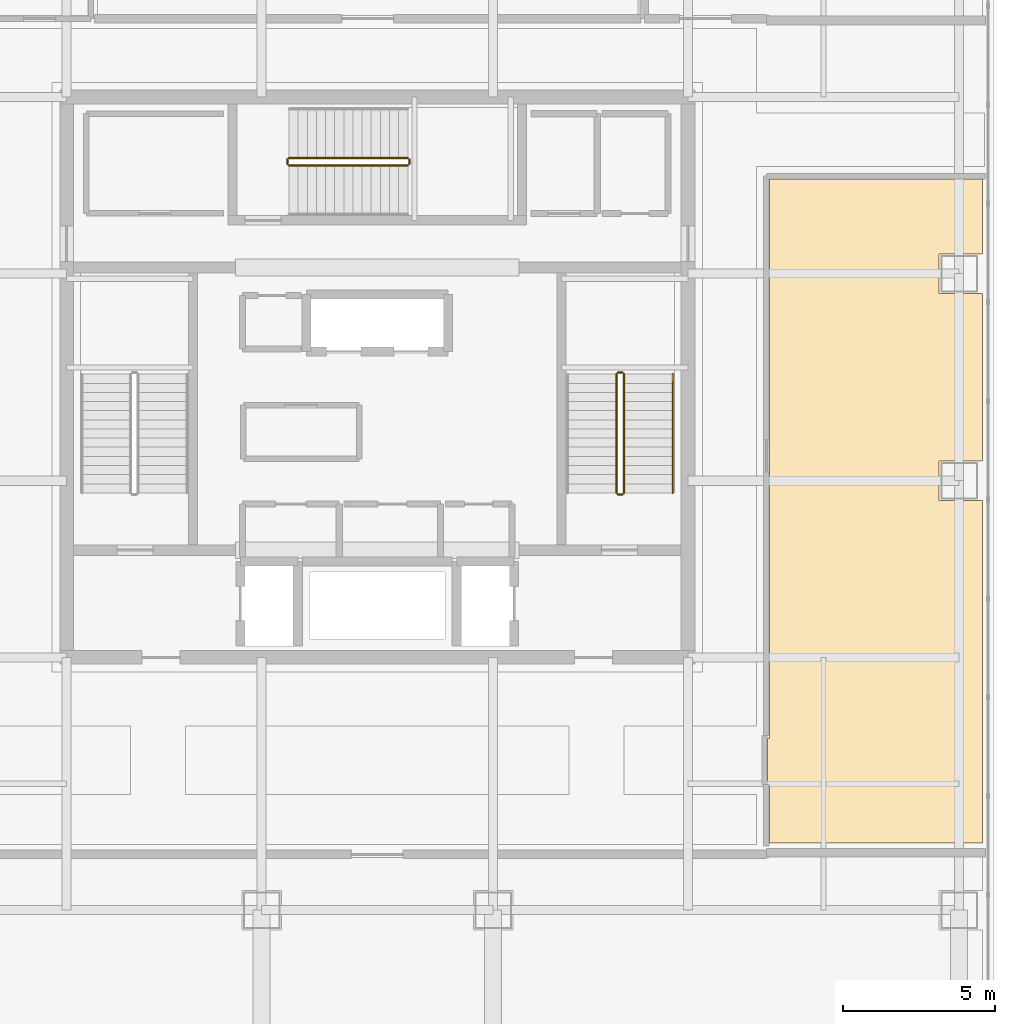
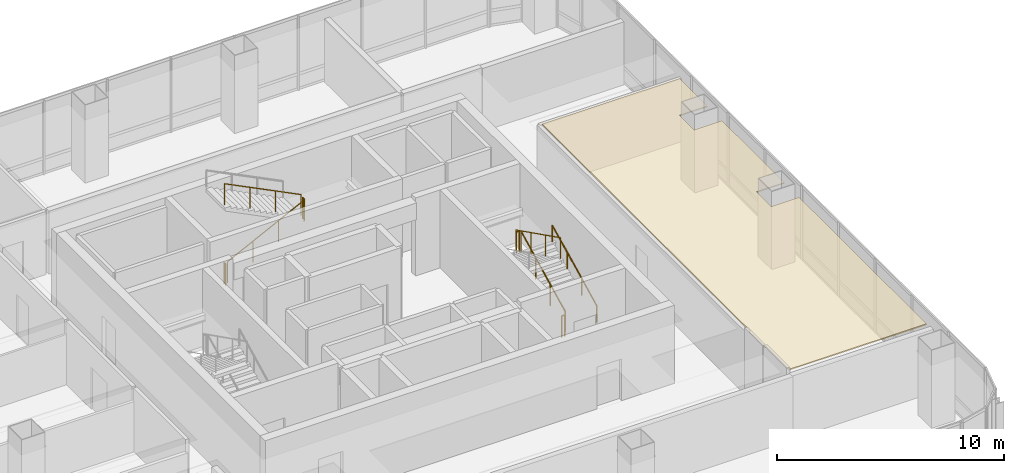
# One storey, part 41 of 42: 9 railings, 1 covering.
"""IFC4 building model written with IfcOpenShell, lengths in metres."""

import ifcopenshell
import ifcopenshell.guid

model = None  # the IFC model being written
_history = None  # IfcOwnerHistory: only IFC2X3 demands one
_inside = {}  # id of a spatial element -> (the spatial element, [elements in it])
_under = {}  # id of a project, library or spatial element -> (it, [spatial elements below it])
_declared = {}  # id of a project -> (the project, [libraries it declares])
_typed = {}  # id of a type object -> (the type object, [elements of that type])
_made_of = {}  # id of a material, layer set ... -> (it, [elements and type objects made of it])


def new_model(schema):
    """Start an empty IFC model of exactly this schema.

    Asked for "IFC4X3", IfcOpenShell would pick the latest addendum, in which some entities
    have other attributes; the version numbers below select the first issue.
    IFC2X3 requires an IfcOwnerHistory on every rooted entity: one is made here for all.
    """
    global model, _history
    if schema == "IFC4X3":
        model = ifcopenshell.file(schema_version=(4, 3, 0, 0))
    else:
        model = ifcopenshell.file(schema=schema)
    _inside.clear()
    _under.clear()
    _declared.clear()
    _typed.clear()
    _made_of.clear()
    _history = None
    if model.schema == "IFC2X3":
        org = make("IfcOrganization", Name="unknown")
        user = make(
            "IfcPersonAndOrganization",
            ThePerson=make("IfcPerson", FamilyName="unknown"),
            TheOrganization=org,
        )
        app = make(
            "IfcApplication",
            ApplicationDeveloper=org,
            Version="unknown",
            ApplicationFullName="unknown",
            ApplicationIdentifier="unknown",
        )
        _history = make(
            "IfcOwnerHistory",
            OwningUser=user,
            OwningApplication=app,
            ChangeAction="ADDED",
            CreationDate=0,
        )
    return model


def make(cls, **values):
    """One entity of the class cls with the attributes given. An attribute that is None is left unset."""
    return model.create_entity(
        cls, **{name: value for name, value in values.items() if value is not None}
    )


def rooted(cls, **values):
    """An entity with a GlobalId (a new one), such as an element, a storey or a relation."""
    return make(cls, GlobalId=ifcopenshell.guid.new(), OwnerHistory=_history, **values)


def si_unit(unit_type, name, prefix=None):
    """IfcSIUnit, for example si_unit("LENGTHUNIT", "METRE", prefix="MILLI")."""
    return make("IfcSIUnit", UnitType=unit_type, Prefix=prefix, Name=name)


def assignment(units):
    """IfcUnitAssignment: the units of a project."""
    return None if units is None else make("IfcUnitAssignment", Units=units)


def point(xyz):
    """IfcCartesianPoint."""
    return None if xyz is None else make("IfcCartesianPoint", Coordinates=xyz)


def direction(xyz):
    """IfcDirection."""
    return None if xyz is None else make("IfcDirection", DirectionRatios=xyz)


def frame(location, z_axis=None, x_axis=None):
    """IfcAxis2Placement3D, a coordinate frame: its origin and axes. An axis left out is left unset."""
    return make(
        "IfcAxis2Placement3D",
        Location=point(location),
        Axis=direction(z_axis),
        RefDirection=direction(x_axis),
    )


def frame_2d(location, x_axis=None):
    """IfcAxis2Placement2D, a coordinate frame in the plane: its origin and x axis."""
    return make(
        "IfcAxis2Placement2D", Location=point(location), RefDirection=direction(x_axis)
    )


def origin():
    """The frame at (0, 0, 0) with its axes left unset."""
    return frame((0.0, 0.0, 0.0))


def origin_2d():
    """The frame at (0, 0) in the plane with its x axis left unset."""
    return frame_2d((0.0, 0.0))


def place(relative_to, where):
    """IfcLocalPlacement: puts the frame where relative to a parent placement (None: the world)."""
    return make(
        "IfcLocalPlacement", PlacementRelTo=relative_to, RelativePlacement=where
    )


def context(
    kind, dimensions, precision=None, world=None, true_north=None, identifier=None
):
    """IfcGeometricRepresentationContext, for example the 3D "Model" context."""
    return make(
        "IfcGeometricRepresentationContext",
        ContextIdentifier=identifier,
        ContextType=kind,
        CoordinateSpaceDimension=dimensions,
        Precision=precision,
        WorldCoordinateSystem=world,
        TrueNorth=true_north,
    )


def subcontext(parent, identifier, kind, view, scale=None):
    """IfcGeometricRepresentationSubContext, for example "Body" below "Model"."""
    return make(
        "IfcGeometricRepresentationSubContext",
        ContextIdentifier=identifier,
        ContextType=kind,
        ParentContext=parent,
        TargetScale=scale,
        TargetView=view,
    )


def project(units=None, contexts=None):
    """IfcProject with its units and contexts."""
    return rooted(
        "IfcProject",
        Name="project",
        RepresentationContexts=contexts,
        UnitsInContext=assignment(units),
    )


def spatial(cls, under=None, at=None, **own):
    """A site, building, storey or space (cls), placed at a placement, below another one or the project."""
    s = rooted(cls, ObjectPlacement=at, **own)
    if under is not None:
        _under.setdefault(under.id(), (under, []))[1].append(s)
    return s


def polyline(points):
    """IfcPolyline through the points."""
    return make("IfcPolyline", Points=[point(p) for p in points])


def profile(cls, at=None, kind="AREA", **sizes):
    """A parametric profile (cls). Its sizes go by their IFC names, for example OverallWidth=200.0."""
    return make(cls, ProfileType=kind, Position=at, **sizes)


def circle(**sizes):
    """IfcCircleProfileDef."""
    return profile("IfcCircleProfileDef", **sizes)


def outline(outer, holes=None, kind="AREA"):
    """IfcArbitraryClosedProfileDef: a profile drawn as a closed curve; with holes, ...WithVoids."""
    if holes is None:
        return make("IfcArbitraryClosedProfileDef", ProfileType=kind, OuterCurve=outer)
    return make(
        "IfcArbitraryProfileDefWithVoids",
        ProfileType=kind,
        OuterCurve=outer,
        InnerCurves=holes,
    )


def extrude(swept, where, along, depth):
    """IfcExtrudedAreaSolid: the profile swept, set in the frame where, extruded along a direction by depth."""
    return make(
        "IfcExtrudedAreaSolid",
        SweptArea=swept,
        Position=where,
        ExtrudedDirection=direction(along),
        Depth=depth,
    )


def shape(context_of_items, identifier, shape_type, items):
    """IfcShapeRepresentation: the items that make up one representation, for example the "Body"."""
    return make(
        "IfcShapeRepresentation",
        ContextOfItems=context_of_items,
        RepresentationIdentifier=identifier,
        RepresentationType=shape_type,
        Items=items,
    )


def material(Name=None, Category=None):
    """IfcMaterial."""
    return make("IfcMaterial", Name=Name, Category=Category)


def layer(
    of_material, thickness, ventilated=None, Name=None, Category=None, Priority=None
):
    """IfcMaterialLayer: one layer of a wall or slab, of a material (None: an air gap)."""
    return make(
        "IfcMaterialLayer",
        Material=of_material,
        LayerThickness=thickness,
        IsVentilated=ventilated,
        Name=Name,
        Category=Category,
        Priority=Priority,
    )


def layer_set(layers, Name=None):
    """IfcMaterialLayerSet."""
    return make("IfcMaterialLayerSet", MaterialLayers=layers, LayerSetName=Name)


def made_of(thing, what):
    """Note that an element or type object is made of a material, layer set ...; save() writes the relation."""
    if what is not None:
        _made_of.setdefault(what.id(), (what, []))[1].append(thing)
    return thing


def type_object(cls, material=None, **own):
    """A type object (cls), such as IfcWallType, which elements share."""
    return made_of(rooted(cls, **own), material)


def element(
    cls,
    number,
    at=None,
    inside=None,
    cuts=None,
    type_object=None,
    material=None,
    context=None,
    identifier="Body",
    shape_type=None,
    held_by="IfcProductDefinitionShape",
    body=None,
    shapes=None,
    **own,
):
    """One element of the class cls, such as IfcWall. Its Tag is "e" and its number.

    at: its placement. inside: the storey or other place that contains it. cuts: it is an
    opening in that element (IfcRelVoidsElement). A single representation is given by context,
    identifier, shape_type and body (its items); several are given by shapes. held_by: the class
    of the entity that holds the representations. save() writes the other relations.
    """
    e = rooted(cls, Tag="e%d" % number, ObjectPlacement=at, **own)
    if body is not None:
        shapes = [shape(context, identifier, shape_type, body)]
    if shapes is not None:
        e.Representation = make(held_by, Representations=shapes)
    if inside is not None:
        _inside.setdefault(inside.id(), (inside, []))[1].append(e)
    if cuts is not None:
        rooted(
            "IfcRelVoidsElement", RelatingBuildingElement=cuts, RelatedOpeningElement=e
        )
    if type_object is not None:
        _typed.setdefault(type_object.id(), (type_object, []))[1].append(e)
    return made_of(e, material)


def aggregate(whole, parts):
    """IfcRelAggregates: a whole, such as a stair, and the parts it consists of."""
    return rooted("IfcRelAggregates", RelatingObject=whole, RelatedObjects=parts)


def save(model, path):
    """Write the relations noted so far, then the file.

    IfcRelAggregates (storeys below a building ...), IfcRelContainedInSpatialStructure (elements
    in a storey), IfcRelDefinesByType, IfcRelAssociatesMaterial and IfcRelDeclares: one each for
    every whole, place, type object, material and project.
    """
    for whole, parts in _under.values():
        aggregate(whole, parts)
    for where, things in _inside.values():
        rooted(
            "IfcRelContainedInSpatialStructure",
            RelatedElements=things,
            RelatingStructure=where,
        )
    for kind, things in _typed.values():
        rooted("IfcRelDefinesByType", RelatedObjects=things, RelatingType=kind)
    for what, things in _made_of.values():
        rooted("IfcRelAssociatesMaterial", RelatedObjects=things, RelatingMaterial=what)
    for by, libraries in _declared.values():
        rooted("IfcRelDeclares", RelatingContext=by, RelatedDefinitions=libraries)
    model.write(path)


model = new_model("IFC4")

# Units and contexts
model_context = context("Model", 3, precision=1e-05, world=origin(), true_north=direction((0.0, 1.0)))
body_context = subcontext(model_context, "Body", "Model", "MODEL_VIEW")
ifc_project = project(units=[si_unit("LENGTHUNIT", "METRE"), si_unit("AREAUNIT", "SQUARE_METRE"), si_unit("VOLUMEUNIT", "CUBIC_METRE"), si_unit("PLANEANGLEUNIT", "RADIAN"), si_unit("MASSUNIT", "GRAM", prefix="KILO")], contexts=[model_context])

# Site, building, storey
site_placement = place(None, origin())
site = spatial("IfcSite", under=ifc_project, at=site_placement, CompositionType="ELEMENT")
building_placement = place(site_placement, origin())
building = spatial("IfcBuilding", under=site, at=building_placement, Name="Punatoya Terracotta Tower", CompositionType="ELEMENT")
storey_placement = place(building_placement, frame((0.0, 0.0, 325.800048828125)))
storey = spatial("IfcBuildingStorey", under=building, at=storey_placement, Name="L77", CompositionType="ELEMENT", Elevation=325.800048828125)

# Covering
ifc_material_1 = material(Name="Acoustic Mineral Fibre Ceiling")
ifc_layer = layer(ifc_material_1, 0.06005859375)
ifc_layer_set = layer_set([ifc_layer], Name="Acoustic Mineral Fibre Ceiling")
covering_type = type_object("IfcCoveringType", Name="COV-CEIL-60", PredefinedType="CEILING", material=ifc_layer_set)
covering_placement = place(storey_placement, frame((0.0, 0.0, 3.389892578125)))
element("IfcCovering", 1, at=covering_placement, inside=storey, type_object=covering_type, Name="L77 Catering Tea Pantry Acoustic Ceiling", PredefinedType="CEILING", context=body_context, shape_type="SweptSolid", body=[
    extrude(outline(polyline([(12.81005859375, -13.280029296875), (12.8701171875, -13.280029296875), (12.8701171875, -15.2900390625), (19.8701171875, -15.2900390625), (19.8701171875, -4.050048828125), (18.449951171875, -4.050048828125), (18.449951171875, -2.75), (19.8701171875, -2.75), (19.8701171875, 2.75), (18.449951171875, 2.75), (18.449951171875, 4.050048828125), (19.8701171875, 4.050048828125), (19.8701171875, 6.5), (12.8701171875, 6.5), (12.8701171875, -11.8701171875), (12.81005859375, -11.8701171875), (12.81005859375, -13.280029296875)])), origin(), (0.0, 0.0, 1.0), 0.06005859375),
])

# Railings
ifc_material_2 = material(Name="Steel S355", Category="steel")
railing_type_1 = type_object("IfcRailingType", Name="RLG-GRD-1150", PredefinedType="GUARDRAIL", material=ifc_material_2)
railing_1_placement = place(storey_placement, frame((8.10009765625, -3.800048828125, 0.14990234375)))
element("IfcRailing", 2, at=railing_1_placement, inside=storey, type_object=railing_type_1, Name="L77 ST-2 stair guard 1", PredefinedType="GUARDRAIL", context=body_context, shape_type="SweptSolid", body=[
    extrude(circle(Radius=0.02392578125, at=origin_2d()), frame((0.0, 0.0, 1.1259765625), z_axis=(0.0, 0.894438388696, 0.447191199406), x_axis=(-1.0, 0.0, 0.0)), (0.0, 0.0, 1.0), 4.3603515625),
    extrude(circle(Radius=0.02099609375, at=origin_2d()), origin(), (0.0, 0.0, 1.0), 1.101806640625),
    extrude(circle(Radius=0.02099609375, at=origin_2d()), frame((0.0, 1.300048828125, 0.64990234375)), (0.0, 0.0, 1.0), 1.101806640625),
    extrude(circle(Radius=0.02099609375, at=origin_2d()), frame((0.0, 2.60009765625, 1.300048828125)), (0.0, 0.0, 1.0), 1.101806640625),
    extrude(circle(Radius=0.02099609375, at=origin_2d()), frame((0.0, 3.900146484375, 1.949951171875)), (0.0, 0.0, 1.0), 1.101806640625),
])
railing_2_placement = place(storey_placement, frame((8.050048828125, 0.14990234375, 2.099853515625)))
element("IfcRailing", 3, at=railing_2_placement, inside=storey, type_object=railing_type_1, Name="L77 ST-2 stair guard 2", PredefinedType="GUARDRAIL", context=body_context, shape_type="SweptSolid", body=[
    extrude(circle(Radius=0.02392578125, at=origin_2d()), frame((0.0, 0.0, 1.1259765625), z_axis=(-1.0, 0.0, 0.0), x_axis=(0.0, -1.0, 0.0)), (0.0, 0.0, 1.0), 0.150146484375),
    extrude(circle(Radius=0.02099609375, at=origin_2d()), origin(), (0.0, 0.0, 1.0), 1.101806640625),
    extrude(circle(Radius=0.02099609375, at=origin_2d()), frame((-0.150146484375, 0.0, 0.0)), (0.0, 0.0, 1.0), 1.101806640625),
])
railing_3_placement = place(storey_placement, frame((7.85009765625, 0.10009765625, 2.25)))
element("IfcRailing", 4, at=railing_3_placement, inside=storey, type_object=railing_type_1, Name="L77 ST-2 stair guard 3", PredefinedType="GUARDRAIL", context=body_context, shape_type="SweptSolid", body=[
    extrude(circle(Radius=0.02392578125, at=origin_2d()), frame((0.0, 0.0, 1.1259765625), z_axis=(0.0, -0.894438388696, 0.447191199406), x_axis=(1.0, 0.0, 0.0)), (0.0, 0.0, 1.0), 4.3603515625),
    extrude(circle(Radius=0.02099609375, at=origin_2d()), origin(), (0.0, 0.0, 1.0), 1.101806640625),
    extrude(circle(Radius=0.02099609375, at=origin_2d()), frame((0.0, -1.300048828125, 0.64990234375)), (0.0, 0.0, 1.0), 1.101806640625),
    extrude(circle(Radius=0.02099609375, at=origin_2d()), frame((0.0, -2.60009765625, 1.300048828125)), (0.0, 0.0, 1.0), 1.101806640625),
    extrude(circle(Radius=0.02099609375, at=origin_2d()), frame((0.0, -3.900146484375, 1.949951171875)), (0.0, 0.0, 1.0), 1.101806640625),
])
railing_4_placement = place(storey_placement, frame((8.050048828125, -3.85009765625, 0.0)))
element("IfcRailing", 5, at=railing_4_placement, inside=storey, type_object=railing_type_1, Name="L77 ST-2 stair guard 4", PredefinedType="GUARDRAIL", context=body_context, shape_type="SweptSolid", body=[
    extrude(circle(Radius=0.02392578125, at=origin_2d()), frame((0.0, 0.0, 1.1259765625), z_axis=(-1.0, 0.0, 0.0), x_axis=(0.0, -1.0, 0.0)), (0.0, 0.0, 1.0), 0.150146484375),
    extrude(circle(Radius=0.02099609375, at=origin_2d()), origin(), (0.0, 0.0, 1.0), 1.101806640625),
    extrude(circle(Radius=0.02099609375, at=origin_2d()), frame((-0.150146484375, 0.0, 0.0)), (0.0, 0.0, 1.0), 1.101806640625),
])
railing_5_placement = place(storey_placement, frame((-2.89990234375, 6.949951171875, 0.14990234375)))
element("IfcRailing", 6, at=railing_5_placement, inside=storey, type_object=railing_type_1, Name="L77 ST-3 stair guard 1", PredefinedType="GUARDRAIL", context=body_context, shape_type="SweptSolid", body=[
    extrude(circle(Radius=0.02392578125, at=origin_2d()), frame((0.0, 0.0, 1.1259765625), z_axis=(0.894427191, 0.0, 0.4472135955), x_axis=(0.0, 1.0, 0.0)), (0.0, 0.0, 1.0), 4.360107421875),
    extrude(circle(Radius=0.02099609375, at=origin_2d()), origin(), (0.0, 0.0, 1.0), 1.101806640625),
    extrude(circle(Radius=0.02099609375, at=origin_2d()), frame((1.300048828125, 0.0, 0.64990234375)), (0.0, 0.0, 1.0), 1.101806640625),
    extrude(circle(Radius=0.02099609375, at=origin_2d()), frame((2.599853515625, 0.0, 1.300048828125)), (0.0, 0.0, 1.0), 1.101806640625),
    extrude(circle(Radius=0.02099609375, at=origin_2d()), frame((3.89990234375, 0.0, 1.949951171875)), (0.0, 0.0, 1.0), 1.101806640625),
])
railing_6_placement = place(storey_placement, frame((1.050048828125, 7.0, 2.099853515625)))
element("IfcRailing", 7, at=railing_6_placement, inside=storey, type_object=railing_type_1, Name="L77 ST-3 stair guard 2", PredefinedType="GUARDRAIL", context=body_context, shape_type="SweptSolid", body=[
    extrude(circle(Radius=0.02392578125, at=origin_2d()), frame((0.0, 0.0, 1.1259765625), z_axis=(0.0, 1.0, 0.0), x_axis=(-1.0, 0.0, 0.0)), (0.0, 0.0, 1.0), 0.14990234375),
    extrude(circle(Radius=0.02099609375, at=origin_2d()), origin(), (0.0, 0.0, 1.0), 1.101806640625),
    extrude(circle(Radius=0.02099609375, at=origin_2d()), frame((0.0, 0.14990234375, 0.0)), (0.0, 0.0, 1.0), 1.101806640625),
])
railing_7_placement = place(storey_placement, frame((1.0, 7.199951171875, 2.25)))
element("IfcRailing", 8, at=railing_7_placement, inside=storey, type_object=railing_type_1, Name="L77 ST-3 stair guard 3", PredefinedType="GUARDRAIL", context=body_context, shape_type="SweptSolid", body=[
    extrude(circle(Radius=0.02392578125, at=origin_2d()), frame((0.0, 0.0, 1.1259765625), z_axis=(-0.894427191, 0.0, 0.4472135955), x_axis=(0.0, -1.0, 0.0)), (0.0, 0.0, 1.0), 4.360107421875),
    extrude(circle(Radius=0.02099609375, at=origin_2d()), origin(), (0.0, 0.0, 1.0), 1.101806640625),
    extrude(circle(Radius=0.02099609375, at=origin_2d()), frame((-1.300048828125, 0.0, 0.64990234375)), (0.0, 0.0, 1.0), 1.101806640625),
    extrude(circle(Radius=0.02099609375, at=origin_2d()), frame((-2.599853515625, 0.0, 1.300048828125)), (0.0, 0.0, 1.0), 1.101806640625),
    extrude(circle(Radius=0.02099609375, at=origin_2d()), frame((-3.89990234375, 0.0, 1.949951171875)), (0.0, 0.0, 1.0), 1.101806640625),
])
railing_8_placement = place(storey_placement, frame((-2.949951171875, 7.0, 0.0)))
element("IfcRailing", 9, at=railing_8_placement, inside=storey, type_object=railing_type_1, Name="L77 ST-3 stair guard 4", PredefinedType="GUARDRAIL", context=body_context, shape_type="SweptSolid", body=[
    extrude(circle(Radius=0.02392578125, at=origin_2d()), frame((0.0, 0.0, 1.1259765625), z_axis=(0.0, 1.0, 0.0), x_axis=(-1.0, 0.0, 0.0)), (0.0, 0.0, 1.0), 0.14990234375),
    extrude(circle(Radius=0.02099609375, at=origin_2d()), origin(), (0.0, 0.0, 1.0), 1.101806640625),
    extrude(circle(Radius=0.02099609375, at=origin_2d()), frame((0.0, 0.14990234375, 0.0)), (0.0, 0.0, 1.0), 1.101806640625),
])
railing_type_2 = type_object("IfcRailingType", Name="RLG-HND-900", PredefinedType="HANDRAIL", material=ifc_material_2)
railing_9_placement = place(storey_placement, frame((9.699951171875, -3.800048828125, 0.14990234375)))
element("IfcRailing", 10, at=railing_9_placement, inside=storey, type_object=railing_type_2, Name="L77 ST-2 stair handrail 1", PredefinedType="HANDRAIL", context=body_context, shape_type="SweptSolid", body=[
    extrude(circle(Radius=0.02392578125, at=origin_2d()), frame((0.0, 0.0, 0.8759765625), z_axis=(0.0, 0.894438388696, 0.447191199406), x_axis=(-1.0, 0.0, 0.0)), (0.0, 0.0, 1.0), 4.3603515625),
    extrude(circle(Radius=0.02099609375, at=origin_2d()), origin(), (0.0, 0.0, 1.0), 0.851806640625),
    extrude(circle(Radius=0.02099609375, at=origin_2d()), frame((0.0, 1.300048828125, 0.64990234375)), (0.0, 0.0, 1.0), 0.851806640625),
    extrude(circle(Radius=0.02099609375, at=origin_2d()), frame((0.0, 2.60009765625, 1.300048828125)), (0.0, 0.0, 1.0), 0.851806640625),
    extrude(circle(Radius=0.02099609375, at=origin_2d()), frame((0.0, 3.900146484375, 1.949951171875)), (0.0, 0.0, 1.0), 0.851806640625),
])

save(model, "model.ifc")
